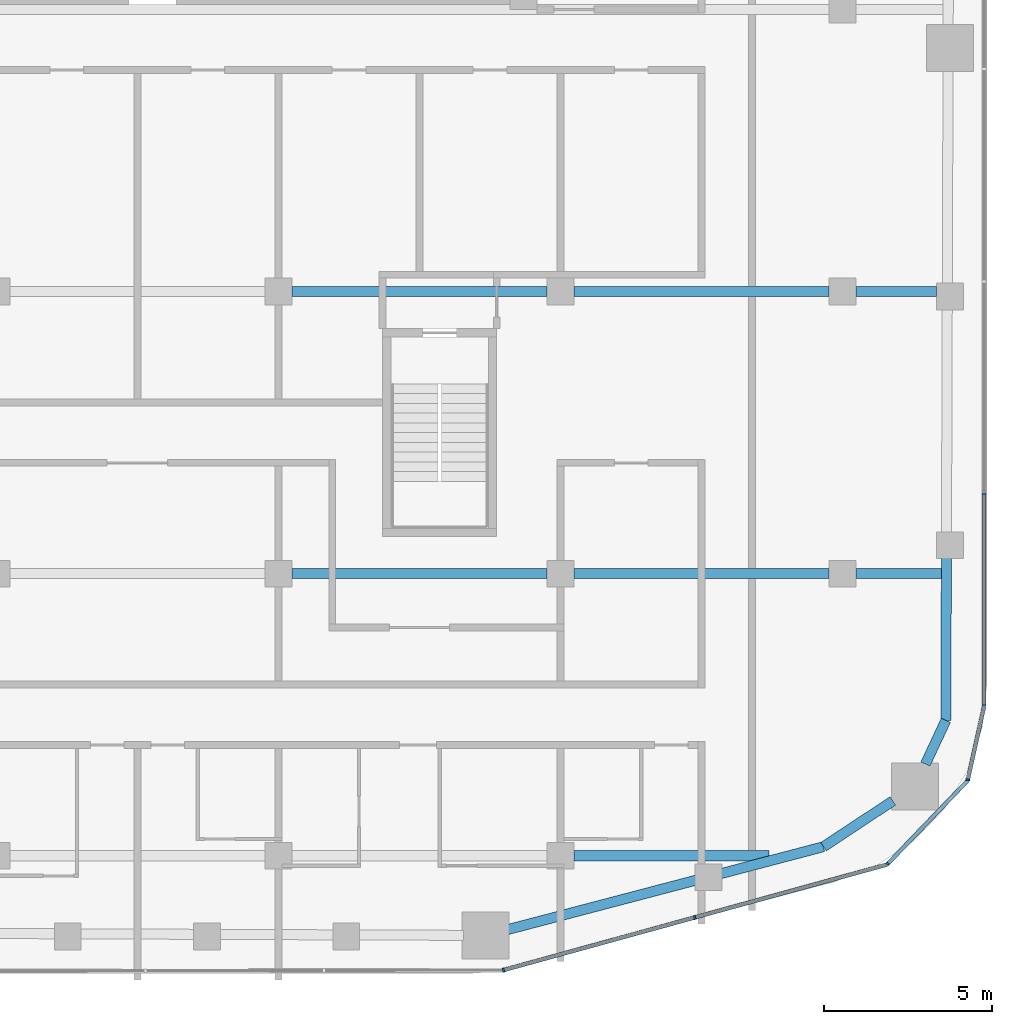
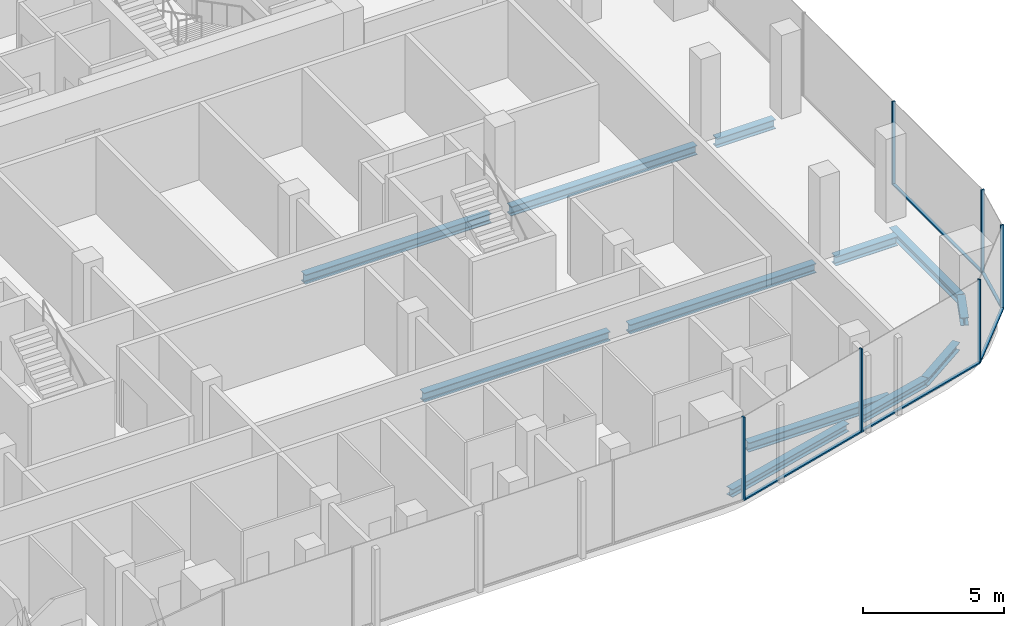
# One storey, part 6 of 20: 12 beams, 11 members, 4 elements without a shape of their own.
"""IFC4 building model written with IfcOpenShell, lengths in metres."""

from ifc_helpers import new_model, si_unit, direction, frame, origin, origin_2d, place, context, subcontext, project, spatial, rectangle, i_section, extrude, material, layer, layer_set, material_profile, profile_set, type_object, element, aggregate, save


model = new_model("IFC4")

# Units and contexts
model_context = context("Model", 3, precision=1e-05, world=origin(), true_north=direction((0.0, 1.0)))
body_context = subcontext(model_context, "Body", "Model", "MODEL_VIEW")
ifc_project = project(units=[si_unit("LENGTHUNIT", "METRE"), si_unit("AREAUNIT", "SQUARE_METRE"), si_unit("VOLUMEUNIT", "CUBIC_METRE"), si_unit("PLANEANGLEUNIT", "RADIAN"), si_unit("MASSUNIT", "GRAM", prefix="KILO")], contexts=[model_context])

# Site, building, storey
site_placement = place(None, origin())
site = spatial("IfcSite", under=ifc_project, at=site_placement, CompositionType="ELEMENT")
building_placement = place(site_placement, origin())
building = spatial("IfcBuilding", under=site, at=building_placement, Name="Marenta Gate Hotel Tower", CompositionType="ELEMENT")
storey_placement = place(building_placement, frame((0.0, 0.0, 216.5)))
storey = spatial("IfcBuildingStorey", under=building, at=storey_placement, Name="L50", CompositionType="ELEMENT", Elevation=216.5)

# Beams
ifc_material_1 = material(Name="Steel S355", Category="steel")
ifc_material_profile_1 = material_profile(ifc_material_1, i_section(OverallWidth=0.300048828125, OverallDepth=0.340087890625, WebThickness=0.011962890625, FlangeThickness=0.021484375, FilletRadius=0.027099609375, at=origin_2d()), Name="HEB 340")
ifc_profile_set_1 = profile_set([ifc_material_profile_1], Name="Steel S355")
beam_type_1 = type_object("IfcBeamType", Name="Edge beam HEB 340", PredefinedType="SPANDREL", material=ifc_profile_set_1)
beam_1_placement = place(storey_placement, frame((24.09130859375, -16.31201171875, -0.429931640625), z_axis=(-0.003318732666, -0.999994492992, 0.0), x_axis=(0.999994492992, -0.003318732666, 0.0)))
element("IfcBeam", 1, at=beam_1_placement, inside=storey, type_object=beam_type_1, Name="L50-EB-27", PredefinedType="SPANDREL", context=body_context, shape_type="SweptSolid", body=[
    extrude(i_section(OverallWidth=0.300048828125, OverallDepth=0.340087890625, WebThickness=0.011962890625, FlangeThickness=0.021484375, FilletRadius=0.027099609375, at=origin_2d()), origin(), (0.0, 0.0, 1.0), 4.855224609375),
])
beam_2_placement = place(storey_placement, frame((24.0751953125, -21.167236328125, -0.429931640625), z_axis=(-0.423341112024, -0.905970365338, 0.0), x_axis=(0.905970365338, -0.423341112024, 0.0)))
element("IfcBeam", 2, at=beam_2_placement, inside=storey, type_object=beam_type_1, Name="L50-EB-28", PredefinedType="SPANDREL", context=body_context, shape_type="SweptSolid", body=[
    extrude(i_section(OverallWidth=0.300048828125, OverallDepth=0.340087890625, WebThickness=0.011962890625, FlangeThickness=0.021484375, FilletRadius=0.027099609375, at=origin_2d()), origin(), (0.0, 0.0, 1.0), 1.437255859375),
])
beam_3_placement = place(storey_placement, frame((22.496337890625, -23.56640625, -0.429931640625), z_axis=(-0.834528740585, -0.550964410047, 0.0), x_axis=(0.550964410047, -0.834528740585, 0.0)))
element("IfcBeam", 3, at=beam_3_placement, inside=storey, type_object=beam_type_1, Name="L50-EB-29", PredefinedType="SPANDREL", context=body_context, shape_type="SweptSolid", body=[
    extrude(i_section(OverallWidth=0.300048828125, OverallDepth=0.340087890625, WebThickness=0.011962890625, FlangeThickness=0.021484375, FilletRadius=0.027099609375, at=origin_2d()), origin(), (0.0, 0.0, 1.0), 2.47705078125),
])
beam_4_placement = place(storey_placement, frame((20.42919921875, -24.93115234375, -0.429931640625), z_axis=(-0.967235227858, -0.253881889845, 0.0), x_axis=(0.253881889845, -0.967235227858, 0.0)))
element("IfcBeam", 4, at=beam_4_placement, inside=storey, type_object=beam_type_1, Name="L50-EB-30", PredefinedType="SPANDREL", context=body_context, shape_type="SweptSolid", body=[
    extrude(i_section(OverallWidth=0.300048828125, OverallDepth=0.340087890625, WebThickness=0.011962890625, FlangeThickness=0.021484375, FilletRadius=0.027099609375, at=origin_2d()), origin(), (0.0, 0.0, 1.0), 3.164794921875),
])
beam_5_placement = place(storey_placement, frame((16.6455078125, -25.92431640625, -0.429931640625), z_axis=(-0.96723496524, -0.253882890359, 0.0), x_axis=(0.253882890359, -0.96723496524, 0.0)))
element("IfcBeam", 5, at=beam_5_placement, inside=storey, type_object=beam_type_1, Name="L50-EB-31", PredefinedType="SPANDREL", context=body_context, shape_type="SweptSolid", body=[
    extrude(i_section(OverallWidth=0.300048828125, OverallDepth=0.340087890625, WebThickness=0.011962890625, FlangeThickness=0.021484375, FilletRadius=0.027099609375, at=origin_2d()), origin(), (0.0, 0.0, 1.0), 5.80810546875),
])
ifc_material_2 = material(Name="Steel S355", Category="steel")
ifc_material_profile_2 = material_profile(ifc_material_2, i_section(OverallWidth=0.300048828125, OverallDepth=0.39990234375, WebThickness=0.013427734375, FlangeThickness=0.02392578125, FilletRadius=0.027099609375, at=origin_2d()), Name="HEB 400")
ifc_profile_set_2 = profile_set([ifc_material_profile_2], Name="Steel S355")
beam_type_2 = type_object("IfcBeamType", Name="Girder HEB 400", PredefinedType="BEAM", material=ifc_profile_set_2)
beam_6_placement = place(storey_placement, frame((13.0, -25.199951171875, -0.4599609375), z_axis=(1.0, 0.0, 0.0), x_axis=(0.0, 1.0, 0.0)))
element("IfcBeam", 6, at=beam_6_placement, inside=storey, type_object=beam_type_2, Name="L50-GD-5", PredefinedType="BEAM", context=body_context, shape_type="SweptSolid", body=[
    extrude(i_section(OverallWidth=0.300048828125, OverallDepth=0.39990234375, WebThickness=0.013427734375, FlangeThickness=0.02392578125, FilletRadius=0.027099609375, at=origin_2d()), origin(), (0.0, 0.0, 1.0), 5.81396484375),
])
beam_7_placement = place(storey_placement, frame((4.60009765625, -16.800048828125, -0.4599609375), z_axis=(1.0, 0.0, 0.0), x_axis=(0.0, 1.0, 0.0)))
element("IfcBeam", 7, at=beam_7_placement, inside=storey, type_object=beam_type_2, Name="L50-GD-10", PredefinedType="BEAM", context=body_context, shape_type="SweptSolid", body=[
    extrude(i_section(OverallWidth=0.300048828125, OverallDepth=0.39990234375, WebThickness=0.013427734375, FlangeThickness=0.02392578125, FilletRadius=0.027099609375, at=origin_2d()), origin(), (0.0, 0.0, 1.0), 7.599853515625),
])
beam_8_placement = place(storey_placement, frame((13.0, -16.800048828125, -0.4599609375), z_axis=(1.0, 0.0, 0.0), x_axis=(0.0, 1.0, 0.0)))
element("IfcBeam", 8, at=beam_8_placement, inside=storey, type_object=beam_type_2, Name="L50-GD-11", PredefinedType="BEAM", context=body_context, shape_type="SweptSolid", body=[
    extrude(i_section(OverallWidth=0.300048828125, OverallDepth=0.39990234375, WebThickness=0.013427734375, FlangeThickness=0.02392578125, FilletRadius=0.027099609375, at=origin_2d()), origin(), (0.0, 0.0, 1.0), 7.60009765625),
])
beam_9_placement = place(storey_placement, frame((21.39990234375, -16.800048828125, -0.4599609375), z_axis=(1.0, 0.0, 0.0), x_axis=(0.0, 1.0, 0.0)))
element("IfcBeam", 9, at=beam_9_placement, inside=storey, type_object=beam_type_2, Name="L50-GD-12", PredefinedType="BEAM", context=body_context, shape_type="SweptSolid", body=[
    extrude(i_section(OverallWidth=0.300048828125, OverallDepth=0.39990234375, WebThickness=0.013427734375, FlangeThickness=0.02392578125, FilletRadius=0.027099609375, at=origin_2d()), origin(), (0.0, 0.0, 1.0), 2.539794921875),
])
beam_10_placement = place(storey_placement, frame((4.60009765625, -8.39990234375, -0.4599609375), z_axis=(1.0, 0.0, 0.0), x_axis=(0.0, 1.0, 0.0)))
element("IfcBeam", 10, at=beam_10_placement, inside=storey, type_object=beam_type_2, Name="L50-GD-17", PredefinedType="BEAM", context=body_context, shape_type="SweptSolid", body=[
    extrude(i_section(OverallWidth=0.300048828125, OverallDepth=0.39990234375, WebThickness=0.013427734375, FlangeThickness=0.02392578125, FilletRadius=0.027099609375, at=origin_2d()), origin(), (0.0, 0.0, 1.0), 7.599853515625),
])
beam_11_placement = place(storey_placement, frame((13.0, -8.39990234375, -0.4599609375), z_axis=(1.0, 0.0, 0.0), x_axis=(0.0, 1.0, 0.0)))
element("IfcBeam", 11, at=beam_11_placement, inside=storey, type_object=beam_type_2, Name="L50-GD-18", PredefinedType="BEAM", context=body_context, shape_type="SweptSolid", body=[
    extrude(i_section(OverallWidth=0.300048828125, OverallDepth=0.39990234375, WebThickness=0.013427734375, FlangeThickness=0.02392578125, FilletRadius=0.027099609375, at=origin_2d()), origin(), (0.0, 0.0, 1.0), 7.60009765625),
])
beam_12_placement = place(storey_placement, frame((21.39990234375, -8.39990234375, -0.4599609375), z_axis=(1.0, 0.0, 0.0), x_axis=(0.0, 1.0, 0.0)))
element("IfcBeam", 12, at=beam_12_placement, inside=storey, type_object=beam_type_2, Name="L50-GD-19", PredefinedType="BEAM", context=body_context, shape_type="SweptSolid", body=[
    extrude(i_section(OverallWidth=0.300048828125, OverallDepth=0.39990234375, WebThickness=0.013427734375, FlangeThickness=0.02392578125, FilletRadius=0.027099609375, at=origin_2d()), origin(), (0.0, 0.0, 1.0), 2.400146484375),
])

# Curtain wall, members
ifc_material_3 = material(Name="Tinted insulated glass in bronze anodised frame", Category="glass")
ifc_layer = layer(ifc_material_3, 0.1201171875)
ifc_layer_set = layer_set([ifc_layer], Name="Tinted insulated glass in bronze anodised frame")
curtain_wall_type = type_object("IfcCurtainWallType", Name="Tower unitised curtain wall CW1", PredefinedType="NOTDEFINED", material=ifc_layer_set)
curtain_wall_1_placement = place(storey_placement, origin())
curtain_wall_1 = element("IfcCurtainWall", 13, at=curtain_wall_1_placement, inside=storey, type_object=curtain_wall_type, Name="CW1 run G08", PredefinedType="NOTDEFINED")
ifc_material_4 = material(Name="Bronze anodised aluminium", Category="aluminium")
ifc_material_profile_3 = material_profile(ifc_material_4, rectangle(XDim=0.1201171875, YDim=0.06005859375, at=origin_2d()), Name="Mullion CW1 60x120 bronze anodised aluminium")
ifc_profile_set_3 = profile_set([ifc_material_profile_3], Name="Bronze anodised aluminium")
member_type_1 = type_object("IfcMemberType", Name="Mullion CW1 60x120 bronze anodised aluminium", PredefinedType="MULLION", material=ifc_profile_set_3)
member_1_placement = place(storey_placement, frame((10.902587890625, -28.6044921875, 0.0), z_axis=(0.0, 0.0, 1.0), x_axis=(-0.265293272675, 0.964167765212, 0.0)))
member_1 = element("IfcMember", 14, at=member_1_placement, type_object=member_type_1, Name="CW1 mullion 1", PredefinedType="MULLION", context=body_context, shape_type="SweptSolid", body=[
    extrude(rectangle(XDim=0.1201171875, YDim=0.06005859375, at=origin_2d()), origin(), (0.0, 0.0, 1.0), 3.60009765625),
])
member_2_placement = place(storey_placement, frame((16.599365234375, -27.037109375, 0.0), z_axis=(0.0, 0.0, 1.0), x_axis=(-0.265293272675, 0.964167765212, 0.0)))
member_2 = element("IfcMember", 15, at=member_2_placement, type_object=member_type_1, Name="CW1 mullion 2", PredefinedType="MULLION", context=body_context, shape_type="SweptSolid", body=[
    extrude(rectangle(XDim=0.1201171875, YDim=0.06005859375, at=origin_2d()), origin(), (0.0, 0.0, 1.0), 3.60009765625),
])

# Curtain wall, member
curtain_wall_2_placement = place(storey_placement, origin())
curtain_wall_2 = element("IfcCurtainWall", 16, at=curtain_wall_2_placement, inside=storey, type_object=curtain_wall_type, Name="CW1 run G09", PredefinedType="NOTDEFINED")
member_3_placement = place(storey_placement, frame((22.345458984375, -25.43994140625, 0.0), z_axis=(0.0, 0.0, 1.0), x_axis=(-0.72137172224, 0.692548076564, 0.0)))
member_3 = element("IfcMember", 17, at=member_3_placement, type_object=member_type_1, Name="CW1 mullion 1", PredefinedType="MULLION", context=body_context, shape_type="SweptSolid", body=[
    extrude(rectangle(XDim=0.1201171875, YDim=0.06005859375, at=origin_2d()), origin(), (0.0, 0.0, 1.0), 3.60009765625),
])

curtain_wall_3_placement = place(storey_placement, origin())
curtain_wall_3 = element("IfcCurtainWall", 18, at=curtain_wall_3_placement, inside=storey, type_object=curtain_wall_type, Name="CW1 run G10", PredefinedType="NOTDEFINED")
member_4_placement = place(storey_placement, frame((24.726806640625, -22.937255859375, 0.0), z_axis=(0.0, 0.0, 1.0), x_axis=(-0.97620669183, 0.216842096529, 0.0)))
member_4 = element("IfcMember", 19, at=member_4_placement, type_object=member_type_1, Name="CW1 mullion 1", PredefinedType="MULLION", context=body_context, shape_type="SweptSolid", body=[
    extrude(rectangle(XDim=0.1201171875, YDim=0.06005859375, at=origin_2d()), origin(), (0.0, 0.0, 1.0), 3.60009765625),
])

# Curtain wall, members
curtain_wall_4_placement = place(storey_placement, origin())
curtain_wall_4 = element("IfcCurtainWall", 20, at=curtain_wall_4_placement, inside=storey, type_object=curtain_wall_type, Name="CW1 run G11", PredefinedType="NOTDEFINED")
member_5_placement = place(storey_placement, frame((25.214111328125, -20.7138671875, 0.0), z_axis=(0.0, 0.0, 1.0), x_axis=(-1.0, 0.0, 0.0)))
member_5 = element("IfcMember", 21, at=member_5_placement, type_object=member_type_1, Name="CW1 mullion 1", PredefinedType="MULLION", context=body_context, shape_type="SweptSolid", body=[
    extrude(rectangle(XDim=0.1201171875, YDim=0.06005859375, at=origin_2d()), origin(), (0.0, 0.0, 1.0), 3.60009765625),
])
member_6_placement = place(storey_placement, frame((25.214111328125, -14.42138671875, 0.0), z_axis=(0.0, 0.0, 1.0), x_axis=(-1.0, 0.0, 0.0)))
member_6 = element("IfcMember", 22, at=member_6_placement, type_object=member_type_1, Name="CW1 mullion 2", PredefinedType="MULLION", context=body_context, shape_type="SweptSolid", body=[
    extrude(rectangle(XDim=0.1201171875, YDim=0.06005859375, at=origin_2d()), origin(), (0.0, 0.0, 1.0), 3.60009765625),
])

# Member
ifc_material_5 = material(Name="Bronze anodised aluminium", Category="aluminium")
ifc_material_profile_4 = material_profile(ifc_material_5, rectangle(XDim=0.1201171875, YDim=0.06005859375, at=origin_2d()), Name="Transom CW1 60x120 bronze anodised aluminium")
ifc_profile_set_4 = profile_set([ifc_material_profile_4], Name="Bronze anodised aluminium")
member_type_2 = type_object("IfcMemberType", Name="Transom CW1 60x120 bronze anodised aluminium", PredefinedType="USERDEFINED", material=ifc_profile_set_4)
member_7_placement = place(storey_placement, frame((10.931640625, -28.5966796875, 0.030029296875), z_axis=(0.964166959812, 0.265296199758, 0.0), x_axis=(-0.265296199758, 0.964166959812, 0.0)))
member_7 = element("IfcMember", 23, at=member_7_placement, type_object=member_type_2, Name="CW1 transom 1.1", ObjectType="TRANSOM", PredefinedType="USERDEFINED", context=body_context, shape_type="SweptSolid", body=[
    extrude(rectangle(XDim=0.1201171875, YDim=0.06005859375, at=origin_2d()), origin(), (0.0, 0.0, 1.0), 5.84814453125),
])

member_8_placement = place(storey_placement, frame((16.628173828125, -27.029052734375, 0.030029296875), z_axis=(0.964169199953, 0.265288058274, 0.0), x_axis=(-0.265288058274, 0.964169199953, 0.0)))
member_8 = element("IfcMember", 24, at=member_8_placement, type_object=member_type_2, Name="CW1 transom 2.1", ObjectType="TRANSOM", PredefinedType="USERDEFINED", context=body_context, shape_type="SweptSolid", body=[
    extrude(rectangle(XDim=0.1201171875, YDim=0.06005859375, at=origin_2d()), origin(), (0.0, 0.0, 1.0), 5.908203125),
])

aggregate(curtain_wall_1, [member_1, member_2, member_7, member_8])

member_9_placement = place(storey_placement, frame((22.366455078125, -25.41845703125, 0.030029296875), z_axis=(0.692521361505, 0.721397368903, 0.0), x_axis=(-0.721397368903, 0.692521361505, 0.0)))
member_9 = element("IfcMember", 25, at=member_9_placement, type_object=member_type_2, Name="CW1 transom 1.1", ObjectType="TRANSOM", PredefinedType="USERDEFINED", context=body_context, shape_type="SweptSolid", body=[
    extrude(rectangle(XDim=0.1201171875, YDim=0.06005859375, at=origin_2d()), origin(), (0.0, 0.0, 1.0), 3.39892578125),
])

aggregate(curtain_wall_2, [member_3, member_9])

member_10_placement = place(storey_placement, frame((24.7333984375, -22.907958984375, 0.030029296875), z_axis=(0.216848830219, 0.976205196069, 0.0), x_axis=(-0.976205196069, 0.216848830219, 0.0)))
member_10 = element("IfcMember", 26, at=member_10_placement, type_object=member_type_2, Name="CW1 transom 1.1", ObjectType="TRANSOM", PredefinedType="USERDEFINED", context=body_context, shape_type="SweptSolid", body=[
    extrude(rectangle(XDim=0.1201171875, YDim=0.06005859375, at=origin_2d()), origin(), (0.0, 0.0, 1.0), 2.216796875),
])

aggregate(curtain_wall_3, [member_4, member_10])

member_11_placement = place(storey_placement, frame((25.214111328125, -20.683837890625, 0.030029296875), z_axis=(0.0, 1.0, 0.0), x_axis=(-1.0, 0.0, 0.0)))
member_11 = element("IfcMember", 27, at=member_11_placement, type_object=member_type_2, Name="CW1 transom 1.1", ObjectType="TRANSOM", PredefinedType="USERDEFINED", context=body_context, shape_type="SweptSolid", body=[
    extrude(rectangle(XDim=0.1201171875, YDim=0.06005859375, at=origin_2d()), origin(), (0.0, 0.0, 1.0), 6.232666015625),
])

aggregate(curtain_wall_4, [member_5, member_6, member_11])

save(model, "model.ifc")
